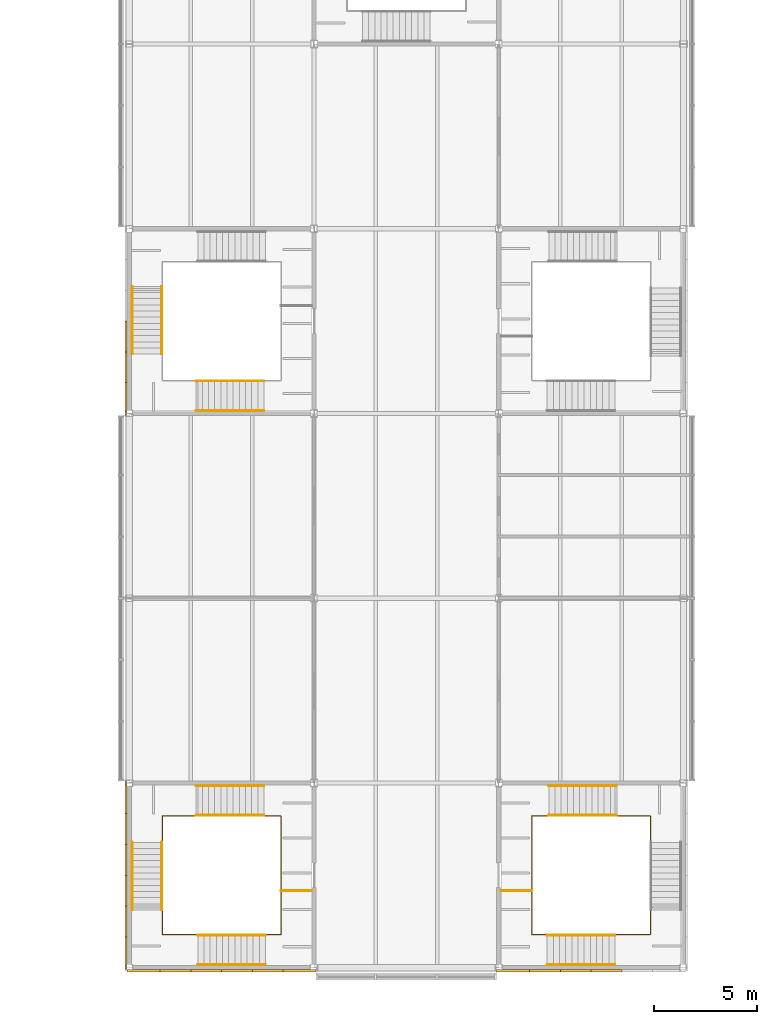
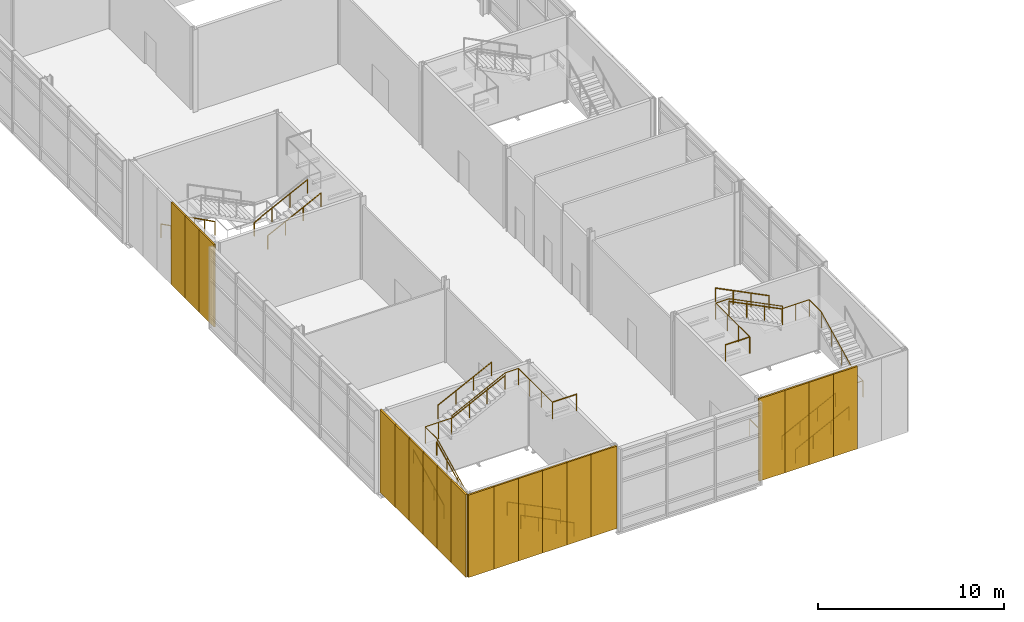
# One storey, part 43 of 52: 19 coverings, 18 railings.
"""IFC4 building model written with IfcOpenShell, lengths in metres."""

from ifc_helpers import new_model, si_unit, direction, frame, origin, origin_2d, place, context, subcontext, project, spatial, rectangle, circle, extrude, material, layer, layer_set, type_object, element, save


model = new_model("IFC4")

# Units and contexts
model_context = context("Model", 3, precision=1e-05, world=origin(), true_north=direction((0.0, 1.0)))
body_context = subcontext(model_context, "Body", "Model", "MODEL_VIEW")
ifc_project = project(units=[si_unit("LENGTHUNIT", "METRE"), si_unit("AREAUNIT", "SQUARE_METRE"), si_unit("VOLUMEUNIT", "CUBIC_METRE"), si_unit("PLANEANGLEUNIT", "RADIAN"), si_unit("MASSUNIT", "GRAM", prefix="KILO")], contexts=[model_context])

# Site, building, storey
site_placement = place(None, origin())
site = spatial("IfcSite", under=ifc_project, at=site_placement, CompositionType="ELEMENT")
building_placement = place(site_placement, origin())
building = spatial("IfcBuilding", under=site, at=building_placement, Name="Azimuth Sports and Learning Centre", CompositionType="ELEMENT")
storey_placement = place(building_placement, frame((0.0, 0.0, 16.199951171875)))
storey = spatial("IfcBuildingStorey", under=building, at=storey_placement, Name="L03", CompositionType="ELEMENT", Elevation=16.199951171875)

# Coverings
ifc_material_1 = material(Name="Cladding panel")
ifc_layer = layer(ifc_material_1, 0.10009765625)
ifc_layer_set = layer_set([ifc_layer], Name="Cladding panel")
covering_type = type_object("IfcCoveringType", Name="Cladding panel 100", PredefinedType="CLADDING", material=ifc_layer_set)
for number, where, z_axis, x_axis, name in (
    (1, (71.85009765625, 30.75, 0.0), (0.0, 0.0, 1.0), (0.0, -1.0, 0.0), "Cladding panel W-ST3 L03 4"),
    (2, (71.85009765625, 29.25, 0.0), (0.0, 0.0, 1.0), (0.0, -1.0, 0.0), "Cladding panel W-ST3 L03 5"),
):
    element("IfcCovering", number, at=place(storey_placement, frame(where, z_axis=z_axis, x_axis=x_axis)), inside=storey, type_object=covering_type, Name=name, PredefinedType="CLADDING", context=body_context, shape_type="SweptSolid", body=[
        extrude(rectangle(XDim=1.5, YDim=0.10009765625, at=origin_2d()), origin(), (0.0, 0.0, 1.0), 5.39990234375),
    ])
for number, where, z_axis, x_axis, name in (
    (3, (71.85009765625, 27.699951171875, 0.0), (0.0, 0.0, 1.0), (0.0, -1.0, 0.0), "Cladding panel W-ST3 L03 6"),
    (4, (71.85009765625, 8.300048828125, 0.0), (0.0, 0.0, 1.0), (0.0, -1.0, 0.0), "Cladding panel W-ST1 L03 1"),
):
    element("IfcCovering", number, at=place(storey_placement, frame(where, z_axis=z_axis, x_axis=x_axis)), inside=storey, type_object=covering_type, Name=name, PredefinedType="CLADDING", context=body_context, shape_type="SweptSolid", body=[
        extrude(rectangle(XDim=1.60009765625, YDim=0.10009765625, at=origin_2d()), origin(), (0.0, 0.0, 1.0), 5.39990234375),
    ])
for number, where, z_axis, x_axis, name in (
    (5, (71.85009765625, 6.75, 0.0), (0.0, 0.0, 1.0), (0.0, -1.0, 0.0), "Cladding panel W-ST1 L03 2"),
    (6, (71.85009765625, 5.25, 0.0), (0.0, 0.0, 1.0), (0.0, -1.0, 0.0), "Cladding panel W-ST1 L03 3"),
    (7, (71.85009765625, 3.75, 0.0), (0.0, 0.0, 1.0), (0.0, -1.0, 0.0), "Cladding panel W-ST1 L03 4"),
    (8, (71.85009765625, 2.25, 0.0), (0.0, 0.0, 1.0), (0.0, -1.0, 0.0), "Cladding panel W-ST1 L03 5"),
):
    element("IfcCovering", number, at=place(storey_placement, frame(where, z_axis=z_axis, x_axis=x_axis)), inside=storey, type_object=covering_type, Name=name, PredefinedType="CLADDING", context=body_context, shape_type="SweptSolid", body=[
        extrude(rectangle(XDim=1.5, YDim=0.10009765625, at=origin_2d()), origin(), (0.0, 0.0, 1.0), 5.39990234375),
    ])
for number, where, z_axis, x_axis, name in (
    (9, (71.85009765625, 0.699951171875, 0.0), (0.0, 0.0, 1.0), (0.0, -1.0, 0.0), "Cladding panel W-ST1 L03 6"),
    (10, (72.699951171875, -0.14990234375, 0.0), (0.0, 0.0, 1.0), (1.0, 0.0, 0.0), "Cladding panel S-ST1 L03 1"),
):
    element("IfcCovering", number, at=place(storey_placement, frame(where, z_axis=z_axis, x_axis=x_axis)), inside=storey, type_object=covering_type, Name=name, PredefinedType="CLADDING", context=body_context, shape_type="SweptSolid", body=[
        extrude(rectangle(XDim=1.60009765625, YDim=0.10009765625, at=origin_2d()), origin(), (0.0, 0.0, 1.0), 5.39990234375),
    ])
for number, where, z_axis, x_axis, name in (
    (11, (74.25, -0.14990234375, 0.0), (0.0, 0.0, 1.0), (1.0, 0.0, 0.0), "Cladding panel S-ST1 L03 2"),
    (12, (75.75, -0.14990234375, 0.0), (0.0, 0.0, 1.0), (1.0, 0.0, 0.0), "Cladding panel S-ST1 L03 3"),
    (13, (77.25, -0.14990234375, 0.0), (0.0, 0.0, 1.0), (1.0, 0.0, 0.0), "Cladding panel S-ST1 L03 4"),
    (14, (78.75, -0.14990234375, 0.0), (0.0, 0.0, 1.0), (1.0, 0.0, 0.0), "Cladding panel S-ST1 L03 5"),
):
    element("IfcCovering", number, at=place(storey_placement, frame(where, z_axis=z_axis, x_axis=x_axis)), inside=storey, type_object=covering_type, Name=name, PredefinedType="CLADDING", context=body_context, shape_type="SweptSolid", body=[
        extrude(rectangle(XDim=1.5, YDim=0.10009765625, at=origin_2d()), origin(), (0.0, 0.0, 1.0), 5.39990234375),
    ])
for number, where, z_axis, x_axis, name in (
    (15, (80.300048828125, -0.14990234375, 0.0), (0.0, 0.0, 1.0), (1.0, 0.0, 0.0), "Cladding panel S-ST1 L03 6"),
    (16, (90.699951171875, -0.14990234375, 0.0), (0.0, 0.0, 1.0), (1.0, 0.0, 0.0), "Cladding panel S-ST2 L03 1"),
):
    element("IfcCovering", number, at=place(storey_placement, frame(where, z_axis=z_axis, x_axis=x_axis)), inside=storey, type_object=covering_type, Name=name, PredefinedType="CLADDING", context=body_context, shape_type="SweptSolid", body=[
        extrude(rectangle(XDim=1.60009765625, YDim=0.10009765625, at=origin_2d()), origin(), (0.0, 0.0, 1.0), 5.39990234375),
    ])
for number, where, z_axis, x_axis, name in (
    (17, (92.25, -0.14990234375, 0.0), (0.0, 0.0, 1.0), (1.0, 0.0, 0.0), "Cladding panel S-ST2 L03 2"),
    (18, (93.75, -0.14990234375, 0.0), (0.0, 0.0, 1.0), (1.0, 0.0, 0.0), "Cladding panel S-ST2 L03 3"),
    (19, (95.25, -0.14990234375, 0.0), (0.0, 0.0, 1.0), (1.0, 0.0, 0.0), "Cladding panel S-ST2 L03 4"),
):
    element("IfcCovering", number, at=place(storey_placement, frame(where, z_axis=z_axis, x_axis=x_axis)), inside=storey, type_object=covering_type, Name=name, PredefinedType="CLADDING", context=body_context, shape_type="SweptSolid", body=[
        extrude(rectangle(XDim=1.5, YDim=0.10009765625, at=origin_2d()), origin(), (0.0, 0.0, 1.0), 5.39990234375),
    ])

# Railings
ifc_material_2 = material(Name="Stainless steel", Category="steel")
railing_type_1 = type_object("IfcRailingType", Name="Stair guard 1100", PredefinedType="GUARDRAIL", material=ifc_material_2)
railing_1_placement = place(storey_placement, frame((79.389892578125, 3.75, 0.0)))
element("IfcRailing", 20, at=railing_1_placement, inside=storey, type_object=railing_type_1, Name="Guard ST1 L03 well", PredefinedType="GUARDRAIL", context=body_context, shape_type="SweptSolid", body=[
    extrude(circle(Radius=0.02392578125, at=origin_2d()), frame((0.0, 0.0, 1.076171875), z_axis=(0.0, -1.0, 0.0), x_axis=(1.0, 0.0, 0.0)), (0.0, 0.0, 1.0), 2.139892578125),
    extrude(circle(Radius=0.02392578125, at=origin_2d()), frame((0.0, -2.139892578125, 1.076171875), z_axis=(-1.0, 0.0, 0.0), x_axis=(0.0, -1.0, 0.0)), (0.0, 0.0, 1.0), 0.75),
    extrude(circle(Radius=0.02392578125, at=origin_2d()), frame((-0.75, -2.139892578125, 1.076171875), z_axis=(0.0, 0.0, 1.0), x_axis=(1.0, 0.0, 0.0)), (0.0, 0.0, 1.0), 0.150146484375),
    extrude(circle(Radius=0.02392578125, at=origin_2d()), frame((-0.75, -2.139892578125, 1.22607421875), z_axis=(-0.894427191, 0.0, 0.4472135955), x_axis=(0.0, -1.0, 0.0)), (0.0, 0.0, 1.0), 3.689208984375),
    extrude(circle(Radius=0.02392578125, at=origin_2d()), frame((-4.0498046875, -2.139892578125, 2.8759765625), z_axis=(-1.0, 0.0, 0.0), x_axis=(0.0, -1.0, 0.0)), (0.0, 0.0, 1.0), 1.72998046875),
    extrude(circle(Radius=0.02392578125, at=origin_2d()), frame((-5.77978515625, -2.139892578125, 2.8759765625), z_axis=(0.0, 1.0, 0.0), x_axis=(-1.0, 0.0, 0.0)), (0.0, 0.0, 1.0), 1.199951171875),
    extrude(circle(Radius=0.02392578125, at=origin_2d()), frame((-5.77978515625, -0.93994140625, 2.8759765625), z_axis=(0.0, 0.0, 1.0), x_axis=(1.0, 0.0, 0.0)), (0.0, 0.0, 1.0), 0.14990234375),
    extrude(circle(Radius=0.02392578125, at=origin_2d()), frame((-5.77978515625, -0.93994140625, 3.02587890625), z_axis=(0.0, 0.894413956696, 0.447240063129), x_axis=(-1.0, 0.0, 0.0)), (0.0, 0.0, 1.0), 3.689697265625),
    extrude(circle(Radius=0.02392578125, at=origin_2d()), frame((-5.77978515625, 2.360107421875, 4.67626953125), z_axis=(0.0, 1.0, 0.0), x_axis=(-1.0, 0.0, 0.0)), (0.0, 0.0, 1.0), 1.27978515625),
    extrude(circle(Radius=0.02392578125, at=origin_2d()), frame((-5.77978515625, 3.639892578125, 4.67626953125), z_axis=(1.0, 0.0, 0.0), x_axis=(0.0, 1.0, 0.0)), (0.0, 0.0, 1.0), 1.64990234375),
    extrude(circle(Radius=0.02392578125, at=origin_2d()), frame((-4.1298828125, 3.639892578125, 4.67626953125), z_axis=(0.0, 0.0, 1.0), x_axis=(1.0, 0.0, 0.0)), (0.0, 0.0, 1.0), 0.14990234375),
    extrude(circle(Radius=0.02392578125, at=origin_2d()), frame((-4.1298828125, 3.639892578125, 4.826171875), z_axis=(0.894413956696, 0.0, 0.447240063129), x_axis=(0.0, 1.0, 0.0)), (0.0, 0.0, 1.0), 3.689697265625),
    extrude(circle(Radius=0.02392578125, at=origin_2d()), frame((-0.829833984375, 3.639892578125, 6.47607421875), z_axis=(1.0, 0.0, 0.0), x_axis=(0.0, 1.0, 0.0)), (0.0, 0.0, 1.0), 0.829833984375),
    extrude(circle(Radius=0.02392578125, at=origin_2d()), frame((0.0, 3.639892578125, 6.47607421875), z_axis=(0.0, -1.0, 0.0), x_axis=(1.0, 0.0, 0.0)), (0.0, 0.0, 1.0), 3.639892578125),
    extrude(circle(Radius=0.01611328125, at=origin_2d()), origin(), (0.0, 0.0, 1.0), 1.052001953125),
    extrude(circle(Radius=0.01611328125, at=origin_2d()), frame((0.0, -1.06982421875, 0.0)), (0.0, 0.0, 1.0), 1.052001953125),
    extrude(circle(Radius=0.01611328125, at=origin_2d()), frame((0.0, -2.139892578125, 0.0)), (0.0, 0.0, 1.0), 1.052001953125),
    extrude(circle(Radius=0.01611328125, at=origin_2d()), frame((-0.75, -2.139892578125, 0.0)), (0.0, 0.0, 1.0), 1.052001953125),
    extrude(circle(Radius=0.01611328125, at=origin_2d()), frame((-0.75, -2.139892578125, 0.150146484375)), (0.0, 0.0, 1.0), 1.052001953125),
    extrude(circle(Radius=0.01611328125, at=origin_2d()), frame((-1.849853515625, -2.139892578125, 0.7001953125)), (0.0, 0.0, 1.0), 1.052001953125),
    extrude(circle(Radius=0.01611328125, at=origin_2d()), frame((-2.949951171875, -2.139892578125, 1.25)), (0.0, 0.0, 1.0), 1.052001953125),
    extrude(circle(Radius=0.01611328125, at=origin_2d()), frame((-4.0498046875, -2.139892578125, 1.800048828125)), (0.0, 0.0, 1.0), 1.052001953125),
    extrude(circle(Radius=0.01611328125, at=origin_2d()), frame((-4.914794921875, -2.139892578125, 1.800048828125)), (0.0, 0.0, 1.0), 1.052001953125),
    extrude(circle(Radius=0.01611328125, at=origin_2d()), frame((-5.77978515625, -2.139892578125, 1.800048828125)), (0.0, 0.0, 1.0), 1.052001953125),
    extrude(circle(Radius=0.01611328125, at=origin_2d()), frame((-5.77978515625, -0.93994140625, 1.800048828125)), (0.0, 0.0, 1.0), 1.052001953125),
    extrude(circle(Radius=0.01611328125, at=origin_2d()), frame((-5.77978515625, -0.93994140625, 1.949951171875)), (0.0, 0.0, 1.0), 1.052001953125),
    extrude(circle(Radius=0.01611328125, at=origin_2d()), frame((-5.77978515625, 0.16015625, 2.5)), (0.0, 0.0, 1.0), 1.052001953125),
    extrude(circle(Radius=0.01611328125, at=origin_2d()), frame((-5.77978515625, 1.260009765625, 3.050048828125)), (0.0, 0.0, 1.0), 1.052001953125),
    extrude(circle(Radius=0.01611328125, at=origin_2d()), frame((-5.77978515625, 2.360107421875, 3.60009765625)), (0.0, 0.0, 1.0), 1.052001953125),
    extrude(circle(Radius=0.01611328125, at=origin_2d()), frame((-5.77978515625, 3.639892578125, 3.60009765625)), (0.0, 0.0, 1.0), 1.052001953125),
    extrude(circle(Radius=0.01611328125, at=origin_2d()), frame((-4.954833984375, 3.639892578125, 3.60009765625)), (0.0, 0.0, 1.0), 1.052001953125),
    extrude(circle(Radius=0.01611328125, at=origin_2d()), frame((-4.1298828125, 3.639892578125, 3.60009765625)), (0.0, 0.0, 1.0), 1.052001953125),
    extrude(circle(Radius=0.01611328125, at=origin_2d()), frame((-4.1298828125, 3.639892578125, 3.75)), (0.0, 0.0, 1.0), 1.052001953125),
    extrude(circle(Radius=0.01611328125, at=origin_2d()), frame((-3.02978515625, 3.639892578125, 4.300048828125)), (0.0, 0.0, 1.0), 1.052001953125),
    extrude(circle(Radius=0.01611328125, at=origin_2d()), frame((-1.929931640625, 3.639892578125, 4.85009765625)), (0.0, 0.0, 1.0), 1.052001953125),
    extrude(circle(Radius=0.01611328125, at=origin_2d()), frame((-0.829833984375, 3.639892578125, 5.400146484375)), (0.0, 0.0, 1.0), 1.052001953125),
    extrude(circle(Radius=0.01611328125, at=origin_2d()), frame((0.0, 3.639892578125, 5.400146484375)), (0.0, 0.0, 1.0), 1.052001953125),
    extrude(circle(Radius=0.01611328125, at=origin_2d()), frame((0.0, 2.426513671875, 5.400146484375)), (0.0, 0.0, 1.0), 1.052001953125),
    extrude(circle(Radius=0.01611328125, at=origin_2d()), frame((0.0, 1.21337890625, 5.400146484375)), (0.0, 0.0, 1.0), 1.052001953125),
    extrude(circle(Radius=0.01611328125, at=origin_2d()), frame((0.0, 0.0, 5.400146484375)), (0.0, 0.0, 1.0), 1.052001953125),
])
railing_2_placement = place(storey_placement, frame((80.889892578125, 3.75, 5.400146484375)))
element("IfcRailing", 21, at=railing_2_placement, inside=storey, type_object=railing_type_1, Name="Guard ST1 L03 top landing end", PredefinedType="GUARDRAIL", context=body_context, shape_type="SweptSolid", body=[
    extrude(circle(Radius=0.02392578125, at=origin_2d()), frame((0.0, 0.0, 1.076171875), z_axis=(-1.0, 0.0, 0.0), x_axis=(0.0, -1.0, 0.0)), (0.0, 0.0, 1.0), 1.5),
    extrude(circle(Radius=0.01611328125, at=origin_2d()), origin(), (0.0, 0.0, 1.0), 1.052001953125),
    extrude(circle(Radius=0.01611328125, at=origin_2d()), frame((-1.5, 0.0, 0.0)), (0.0, 0.0, 1.0), 1.052001953125),
])
railing_3_placement = place(storey_placement, frame((91.610107421875, 3.75, 0.0)))
element("IfcRailing", 22, at=railing_3_placement, inside=storey, type_object=railing_type_1, Name="Guard ST2 L03 well", PredefinedType="GUARDRAIL", context=body_context, shape_type="SweptSolid", body=[
    extrude(circle(Radius=0.02392578125, at=origin_2d()), frame((0.0, 0.0, 1.076171875), z_axis=(0.0, -1.0, 0.0), x_axis=(1.0, 0.0, 0.0)), (0.0, 0.0, 1.0), 2.139892578125),
    extrude(circle(Radius=0.02392578125, at=origin_2d()), frame((0.0, -2.139892578125, 1.076171875), z_axis=(1.0, 0.0, 0.0), x_axis=(0.0, 1.0, 0.0)), (0.0, 0.0, 1.0), 0.75),
    extrude(circle(Radius=0.02392578125, at=origin_2d()), frame((0.75, -2.139892578125, 1.076171875), z_axis=(0.0, 0.0, 1.0), x_axis=(1.0, 0.0, 0.0)), (0.0, 0.0, 1.0), 0.150146484375),
    extrude(circle(Radius=0.02392578125, at=origin_2d()), frame((0.75, -2.139892578125, 1.22607421875), z_axis=(0.894427191, 0.0, 0.4472135955), x_axis=(0.0, 1.0, 0.0)), (0.0, 0.0, 1.0), 3.689208984375),
    extrude(circle(Radius=0.02392578125, at=origin_2d()), frame((4.0498046875, -2.139892578125, 2.8759765625), z_axis=(1.0, 0.0, 0.0), x_axis=(0.0, 1.0, 0.0)), (0.0, 0.0, 1.0), 1.72998046875),
    extrude(circle(Radius=0.02392578125, at=origin_2d()), frame((5.77978515625, -2.139892578125, 2.8759765625), z_axis=(0.0, 1.0, 0.0), x_axis=(-1.0, 0.0, 0.0)), (0.0, 0.0, 1.0), 1.199951171875),
    extrude(circle(Radius=0.02392578125, at=origin_2d()), frame((5.77978515625, -0.93994140625, 2.8759765625), z_axis=(0.0, 0.0, 1.0), x_axis=(1.0, 0.0, 0.0)), (0.0, 0.0, 1.0), 0.14990234375),
    extrude(circle(Radius=0.02392578125, at=origin_2d()), frame((5.77978515625, -0.93994140625, 3.02587890625), z_axis=(0.0, 0.894413956696, 0.447240063129), x_axis=(-1.0, 0.0, 0.0)), (0.0, 0.0, 1.0), 3.689697265625),
    extrude(circle(Radius=0.02392578125, at=origin_2d()), frame((5.77978515625, 2.360107421875, 4.67626953125), z_axis=(0.0, 1.0, 0.0), x_axis=(-1.0, 0.0, 0.0)), (0.0, 0.0, 1.0), 1.27978515625),
    extrude(circle(Radius=0.02392578125, at=origin_2d()), frame((5.77978515625, 3.639892578125, 4.67626953125), z_axis=(-1.0, 0.0, 0.0), x_axis=(0.0, -1.0, 0.0)), (0.0, 0.0, 1.0), 1.64990234375),
    extrude(circle(Radius=0.02392578125, at=origin_2d()), frame((4.1298828125, 3.639892578125, 4.67626953125), z_axis=(0.0, 0.0, 1.0), x_axis=(1.0, 0.0, 0.0)), (0.0, 0.0, 1.0), 0.14990234375),
    extrude(circle(Radius=0.02392578125, at=origin_2d()), frame((4.1298828125, 3.639892578125, 4.826171875), z_axis=(-0.894413956696, 0.0, 0.447240063129), x_axis=(0.0, -1.0, 0.0)), (0.0, 0.0, 1.0), 3.689697265625),
    extrude(circle(Radius=0.02392578125, at=origin_2d()), frame((0.829833984375, 3.639892578125, 6.47607421875), z_axis=(-1.0, 0.0, 0.0), x_axis=(0.0, -1.0, 0.0)), (0.0, 0.0, 1.0), 0.829833984375),
    extrude(circle(Radius=0.02392578125, at=origin_2d()), frame((0.0, 3.639892578125, 6.47607421875), z_axis=(0.0, -1.0, 0.0), x_axis=(1.0, 0.0, 0.0)), (0.0, 0.0, 1.0), 3.639892578125),
    extrude(circle(Radius=0.01611328125, at=origin_2d()), origin(), (0.0, 0.0, 1.0), 1.052001953125),
    extrude(circle(Radius=0.01611328125, at=origin_2d()), frame((0.0, -1.06982421875, 0.0)), (0.0, 0.0, 1.0), 1.052001953125),
    extrude(circle(Radius=0.01611328125, at=origin_2d()), frame((0.0, -2.139892578125, 0.0)), (0.0, 0.0, 1.0), 1.052001953125),
    extrude(circle(Radius=0.01611328125, at=origin_2d()), frame((0.75, -2.139892578125, 0.0)), (0.0, 0.0, 1.0), 1.052001953125),
    extrude(circle(Radius=0.01611328125, at=origin_2d()), frame((0.75, -2.139892578125, 0.150146484375)), (0.0, 0.0, 1.0), 1.052001953125),
    extrude(circle(Radius=0.01611328125, at=origin_2d()), frame((1.849853515625, -2.139892578125, 0.7001953125)), (0.0, 0.0, 1.0), 1.052001953125),
    extrude(circle(Radius=0.01611328125, at=origin_2d()), frame((2.949951171875, -2.139892578125, 1.25)), (0.0, 0.0, 1.0), 1.052001953125),
    extrude(circle(Radius=0.01611328125, at=origin_2d()), frame((4.0498046875, -2.139892578125, 1.800048828125)), (0.0, 0.0, 1.0), 1.052001953125),
    extrude(circle(Radius=0.01611328125, at=origin_2d()), frame((4.914794921875, -2.139892578125, 1.800048828125)), (0.0, 0.0, 1.0), 1.052001953125),
    extrude(circle(Radius=0.01611328125, at=origin_2d()), frame((5.77978515625, -2.139892578125, 1.800048828125)), (0.0, 0.0, 1.0), 1.052001953125),
    extrude(circle(Radius=0.01611328125, at=origin_2d()), frame((5.77978515625, -0.93994140625, 1.800048828125)), (0.0, 0.0, 1.0), 1.052001953125),
    extrude(circle(Radius=0.01611328125, at=origin_2d()), frame((5.77978515625, -0.93994140625, 1.949951171875)), (0.0, 0.0, 1.0), 1.052001953125),
    extrude(circle(Radius=0.01611328125, at=origin_2d()), frame((5.77978515625, 0.16015625, 2.5)), (0.0, 0.0, 1.0), 1.052001953125),
    extrude(circle(Radius=0.01611328125, at=origin_2d()), frame((5.77978515625, 1.260009765625, 3.050048828125)), (0.0, 0.0, 1.0), 1.052001953125),
    extrude(circle(Radius=0.01611328125, at=origin_2d()), frame((5.77978515625, 2.360107421875, 3.60009765625)), (0.0, 0.0, 1.0), 1.052001953125),
    extrude(circle(Radius=0.01611328125, at=origin_2d()), frame((5.77978515625, 3.639892578125, 3.60009765625)), (0.0, 0.0, 1.0), 1.052001953125),
    extrude(circle(Radius=0.01611328125, at=origin_2d()), frame((4.954833984375, 3.639892578125, 3.60009765625)), (0.0, 0.0, 1.0), 1.052001953125),
    extrude(circle(Radius=0.01611328125, at=origin_2d()), frame((4.1298828125, 3.639892578125, 3.60009765625)), (0.0, 0.0, 1.0), 1.052001953125),
    extrude(circle(Radius=0.01611328125, at=origin_2d()), frame((4.1298828125, 3.639892578125, 3.75)), (0.0, 0.0, 1.0), 1.052001953125),
    extrude(circle(Radius=0.01611328125, at=origin_2d()), frame((3.02978515625, 3.639892578125, 4.300048828125)), (0.0, 0.0, 1.0), 1.052001953125),
    extrude(circle(Radius=0.01611328125, at=origin_2d()), frame((1.929931640625, 3.639892578125, 4.85009765625)), (0.0, 0.0, 1.0), 1.052001953125),
    extrude(circle(Radius=0.01611328125, at=origin_2d()), frame((0.829833984375, 3.639892578125, 5.400146484375)), (0.0, 0.0, 1.0), 1.052001953125),
    extrude(circle(Radius=0.01611328125, at=origin_2d()), frame((0.0, 3.639892578125, 5.400146484375)), (0.0, 0.0, 1.0), 1.052001953125),
    extrude(circle(Radius=0.01611328125, at=origin_2d()), frame((0.0, 2.426513671875, 5.400146484375)), (0.0, 0.0, 1.0), 1.052001953125),
    extrude(circle(Radius=0.01611328125, at=origin_2d()), frame((0.0, 1.21337890625, 5.400146484375)), (0.0, 0.0, 1.0), 1.052001953125),
    extrude(circle(Radius=0.01611328125, at=origin_2d()), frame((0.0, 0.0, 5.400146484375)), (0.0, 0.0, 1.0), 1.052001953125),
])
railing_4_placement = place(storey_placement, frame((91.610107421875, 3.75, 5.400146484375)))
element("IfcRailing", 23, at=railing_4_placement, inside=storey, type_object=railing_type_1, Name="Guard ST2 L03 top landing end", PredefinedType="GUARDRAIL", context=body_context, shape_type="SweptSolid", body=[
    extrude(circle(Radius=0.02392578125, at=origin_2d()), frame((0.0, 0.0, 1.076171875), z_axis=(-1.0, 0.0, 0.0), x_axis=(0.0, -1.0, 0.0)), (0.0, 0.0, 1.0), 1.5),
    extrude(circle(Radius=0.01611328125, at=origin_2d()), origin(), (0.0, 0.0, 1.0), 1.052001953125),
    extrude(circle(Radius=0.01611328125, at=origin_2d()), frame((-1.5, 0.0, 0.0)), (0.0, 0.0, 1.0), 1.052001953125),
])
ifc_material_3 = material(Name="Stainless steel", Category="steel")
railing_type_2 = type_object("IfcRailingType", Name="Stair handrail 42", PredefinedType="HANDRAIL", material=ifc_material_3)
for number, where, name in (
    (24, (78.639892578125, 1.580078125, 0.150146484375), "Handrail ST1 L03 flight 1 inner"),
    (25, (78.639892578125, 0.139892578125, 0.150146484375), "Handrail ST1 L03 flight 1 outer"),
):
    element("IfcRailing", number, at=place(storey_placement, frame(where)), inside=storey, type_object=railing_type_2, Name=name, PredefinedType="HANDRAIL", context=body_context, shape_type="SweptSolid", body=[
        extrude(circle(Radius=0.02099609375, at=origin_2d()), frame((0.0, 0.0, 0.87890625), z_axis=(-0.894427191, 0.0, 0.4472135955), x_axis=(0.0, -1.0, 0.0)), (0.0, 0.0, 1.0), 3.689208984375),
        extrude(circle(Radius=0.01611328125, at=origin_2d()), origin(), (0.0, 0.0, 1.0), 0.85791015625),
        extrude(circle(Radius=0.01611328125, at=origin_2d()), frame((-1.099853515625, 0.0, 0.550048828125)), (0.0, 0.0, 1.0), 0.85791015625),
        extrude(circle(Radius=0.01611328125, at=origin_2d()), frame((-2.199951171875, 0.0, 1.099853515625)), (0.0, 0.0, 1.0), 0.85791015625),
        extrude(circle(Radius=0.01611328125, at=origin_2d()), frame((-3.2998046875, 0.0, 1.64990234375)), (0.0, 0.0, 1.0), 0.85791015625),
    ])
for number, where, name in (
    (26, (73.580078125, 2.81005859375, 1.949951171875), "Handrail ST1 L03 flight 2 inner"),
    (27, (72.139892578125, 2.81005859375, 1.949951171875), "Handrail ST1 L03 flight 2 outer"),
):
    element("IfcRailing", number, at=place(storey_placement, frame(where)), inside=storey, type_object=railing_type_2, Name=name, PredefinedType="HANDRAIL", context=body_context, shape_type="SweptSolid", body=[
        extrude(circle(Radius=0.02099609375, at=origin_2d()), frame((0.0, 0.0, 0.87890625), z_axis=(0.0, 0.894413956696, 0.447240063129), x_axis=(-1.0, 0.0, 0.0)), (0.0, 0.0, 1.0), 3.689697265625),
        extrude(circle(Radius=0.01611328125, at=origin_2d()), origin(), (0.0, 0.0, 1.0), 0.85791015625),
        extrude(circle(Radius=0.01611328125, at=origin_2d()), frame((0.0, 1.10009765625, 0.550048828125)), (0.0, 0.0, 1.0), 0.85791015625),
        extrude(circle(Radius=0.01611328125, at=origin_2d()), frame((0.0, 2.199951171875, 1.10009765625)), (0.0, 0.0, 1.0), 0.85791015625),
        extrude(circle(Radius=0.01611328125, at=origin_2d()), frame((0.0, 3.300048828125, 1.650146484375)), (0.0, 0.0, 1.0), 0.85791015625),
    ])
for number, where, name in (
    (28, (75.260009765625, 7.419921875, 3.75), "Handrail ST1 L03 flight 3 inner"),
    (29, (75.260009765625, 8.860107421875, 3.75), "Handrail ST1 L03 flight 3 outer"),
):
    element("IfcRailing", number, at=place(storey_placement, frame(where)), inside=storey, type_object=railing_type_2, Name=name, PredefinedType="HANDRAIL", context=body_context, shape_type="SweptSolid", body=[
        extrude(circle(Radius=0.02099609375, at=origin_2d()), frame((0.0, 0.0, 0.87890625), z_axis=(0.894413956696, 0.0, 0.447240063129), x_axis=(0.0, 1.0, 0.0)), (0.0, 0.0, 1.0), 3.689697265625),
        extrude(circle(Radius=0.01611328125, at=origin_2d()), origin(), (0.0, 0.0, 1.0), 0.85791015625),
        extrude(circle(Radius=0.01611328125, at=origin_2d()), frame((1.10009765625, 0.0, 0.550048828125)), (0.0, 0.0, 1.0), 0.85791015625),
        extrude(circle(Radius=0.01611328125, at=origin_2d()), frame((2.199951171875, 0.0, 1.10009765625)), (0.0, 0.0, 1.0), 0.85791015625),
        extrude(circle(Radius=0.01611328125, at=origin_2d()), frame((3.300048828125, 0.0, 1.650146484375)), (0.0, 0.0, 1.0), 0.85791015625),
    ])
for number, where, name in (
    (30, (92.360107421875, 1.580078125, 0.150146484375), "Handrail ST2 L03 flight 1 inner"),
    (31, (92.360107421875, 0.139892578125, 0.150146484375), "Handrail ST2 L03 flight 1 outer"),
):
    element("IfcRailing", number, at=place(storey_placement, frame(where)), inside=storey, type_object=railing_type_2, Name=name, PredefinedType="HANDRAIL", context=body_context, shape_type="SweptSolid", body=[
        extrude(circle(Radius=0.02099609375, at=origin_2d()), frame((0.0, 0.0, 0.87890625), z_axis=(0.894427191, 0.0, 0.4472135955), x_axis=(0.0, 1.0, 0.0)), (0.0, 0.0, 1.0), 3.689208984375),
        extrude(circle(Radius=0.01611328125, at=origin_2d()), origin(), (0.0, 0.0, 1.0), 0.85791015625),
        extrude(circle(Radius=0.01611328125, at=origin_2d()), frame((1.099853515625, 0.0, 0.550048828125)), (0.0, 0.0, 1.0), 0.85791015625),
        extrude(circle(Radius=0.01611328125, at=origin_2d()), frame((2.199951171875, 0.0, 1.099853515625)), (0.0, 0.0, 1.0), 0.85791015625),
        extrude(circle(Radius=0.01611328125, at=origin_2d()), frame((3.2998046875, 0.0, 1.64990234375)), (0.0, 0.0, 1.0), 0.85791015625),
    ])
for number, where, name in (
    (32, (95.739990234375, 7.419921875, 3.75), "Handrail ST2 L03 flight 3 inner"),
    (33, (95.739990234375, 8.860107421875, 3.75), "Handrail ST2 L03 flight 3 outer"),
):
    element("IfcRailing", number, at=place(storey_placement, frame(where)), inside=storey, type_object=railing_type_2, Name=name, PredefinedType="HANDRAIL", context=body_context, shape_type="SweptSolid", body=[
        extrude(circle(Radius=0.02099609375, at=origin_2d()), frame((0.0, 0.0, 0.87890625), z_axis=(-0.894413956696, 0.0, 0.447240063129), x_axis=(0.0, -1.0, 0.0)), (0.0, 0.0, 1.0), 3.689697265625),
        extrude(circle(Radius=0.01611328125, at=origin_2d()), origin(), (0.0, 0.0, 1.0), 0.85791015625),
        extrude(circle(Radius=0.01611328125, at=origin_2d()), frame((-1.10009765625, 0.0, 0.550048828125)), (0.0, 0.0, 1.0), 0.85791015625),
        extrude(circle(Radius=0.01611328125, at=origin_2d()), frame((-2.199951171875, 0.0, 1.10009765625)), (0.0, 0.0, 1.0), 0.85791015625),
        extrude(circle(Radius=0.01611328125, at=origin_2d()), frame((-3.300048828125, 0.0, 1.650146484375)), (0.0, 0.0, 1.0), 0.85791015625),
    ])
for number, where, name in (
    (34, (73.580078125, 33.18994140625, 1.949951171875), "Handrail ST3 L03 flight 2 inner"),
    (35, (72.139892578125, 33.18994140625, 1.949951171875), "Handrail ST3 L03 flight 2 outer"),
):
    element("IfcRailing", number, at=place(storey_placement, frame(where)), inside=storey, type_object=railing_type_2, Name=name, PredefinedType="HANDRAIL", context=body_context, shape_type="SweptSolid", body=[
        extrude(circle(Radius=0.02099609375, at=origin_2d()), frame((0.0, 0.0, 0.87890625), z_axis=(0.0, -0.894413956696, 0.447240063129), x_axis=(1.0, 0.0, 0.0)), (0.0, 0.0, 1.0), 3.689697265625),
        extrude(circle(Radius=0.01611328125, at=origin_2d()), origin(), (0.0, 0.0, 1.0), 0.85791015625),
        extrude(circle(Radius=0.01611328125, at=origin_2d()), frame((0.0, -1.10009765625, 0.550048828125)), (0.0, 0.0, 1.0), 0.85791015625),
        extrude(circle(Radius=0.01611328125, at=origin_2d()), frame((0.0, -2.199951171875, 1.10009765625)), (0.0, 0.0, 1.0), 0.85791015625),
        extrude(circle(Radius=0.01611328125, at=origin_2d()), frame((0.0, -3.300048828125, 1.650146484375)), (0.0, 0.0, 1.0), 0.85791015625),
    ])
for number, where, name in (
    (36, (75.260009765625, 28.580078125, 3.75), "Handrail ST3 L03 flight 3 inner"),
    (37, (75.260009765625, 27.139892578125, 3.75), "Handrail ST3 L03 flight 3 outer"),
):
    element("IfcRailing", number, at=place(storey_placement, frame(where)), inside=storey, type_object=railing_type_2, Name=name, PredefinedType="HANDRAIL", context=body_context, shape_type="SweptSolid", body=[
        extrude(circle(Radius=0.02099609375, at=origin_2d()), frame((0.0, 0.0, 0.87890625), z_axis=(0.894413956696, 0.0, 0.447240063129), x_axis=(0.0, 1.0, 0.0)), (0.0, 0.0, 1.0), 3.689697265625),
        extrude(circle(Radius=0.01611328125, at=origin_2d()), origin(), (0.0, 0.0, 1.0), 0.85791015625),
        extrude(circle(Radius=0.01611328125, at=origin_2d()), frame((1.10009765625, 0.0, 0.550048828125)), (0.0, 0.0, 1.0), 0.85791015625),
        extrude(circle(Radius=0.01611328125, at=origin_2d()), frame((2.199951171875, 0.0, 1.10009765625)), (0.0, 0.0, 1.0), 0.85791015625),
        extrude(circle(Radius=0.01611328125, at=origin_2d()), frame((3.300048828125, 0.0, 1.650146484375)), (0.0, 0.0, 1.0), 0.85791015625),
    ])

save(model, "model.ifc")
